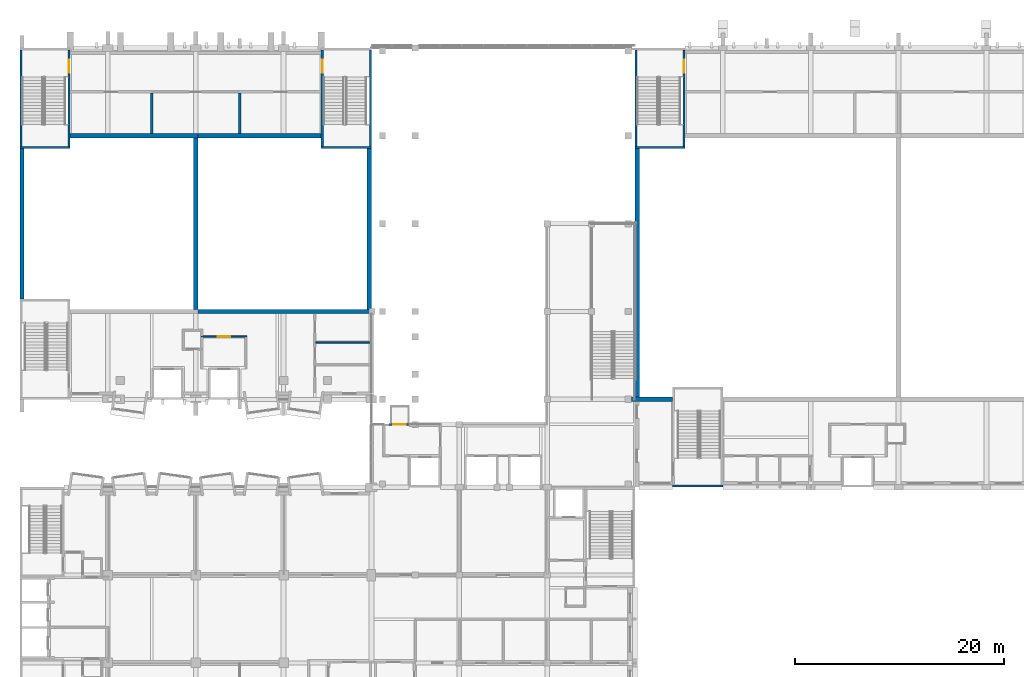
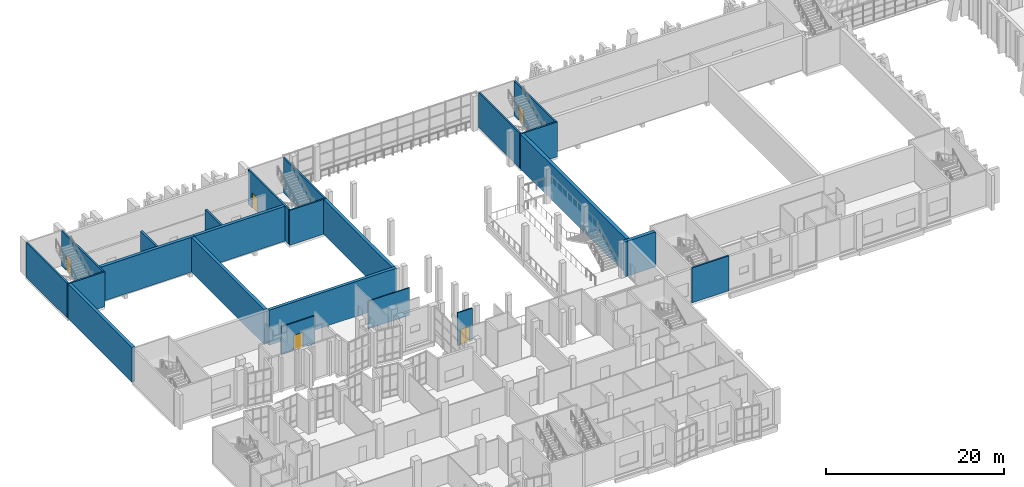
# One storey, part 34 of 91: 24 walls, 5 doors, 5 openings.
"""IFC4 building model written with IfcOpenShell, lengths in metres."""

from ifc_helpers import new_model, si_unit, direction, frame, frame_2d, origin, place, context, subcontext, project, spatial, rectangle, extrude, material, layer, layer_set, type_object, element, fill, save


model = new_model("IFC4")

# Units and contexts
model_context = context("Model", 3, precision=1e-05, world=origin(), true_north=direction((0.0, 1.0)))
body_context = subcontext(model_context, "Body", "Model", "MODEL_VIEW")
ifc_project = project(units=[si_unit("LENGTHUNIT", "METRE"), si_unit("AREAUNIT", "SQUARE_METRE"), si_unit("VOLUMEUNIT", "CUBIC_METRE"), si_unit("PLANEANGLEUNIT", "RADIAN"), si_unit("MASSUNIT", "GRAM", prefix="KILO")], contexts=[model_context])

# Site, building, storey
site_placement = place(None, origin())
site = spatial("IfcSite", under=ifc_project, at=site_placement, CompositionType="ELEMENT")
building_placement = place(site_placement, origin())
building = spatial("IfcBuilding", under=site, at=building_placement, Name="Kiln Court Media Centre", CompositionType="ELEMENT")
storey_placement = place(building_placement, frame((0.0, 0.0, 5.39990234375)))
storey = spatial("IfcBuildingStorey", under=building, at=storey_placement, Name="L01", CompositionType="ELEMENT", Elevation=5.39990234375)

# Wall, opening, door
ifc_material_1 = material(Name="Concrete block masonry M7.5", Category="masonry")
ifc_layer_1 = layer(ifc_material_1, 0.14990234375)
ifc_layer_set_1 = layer_set([ifc_layer_1], Name="Block lobby wall 150 EI 120")
wall_type_1 = type_object("IfcWallType", Name="Block lobby wall 150 EI 120", PredefinedType="SOLIDWALL", material=ifc_layer_set_1)
wall_1_placement = place(storey_placement, frame((35.324951171875, 31.199951171875, 0.0), z_axis=(0.0, 0.0, 1.0), x_axis=(1.0, 0.0, 0.0)))
wall_1 = element("IfcWall", 1, at=wall_1_placement, inside=storey, type_object=wall_type_1, Name="L01 block lobby wall", PredefinedType="SOLIDWALL", context=body_context, shape_type="SweptSolid", body=[
    extrude(rectangle(XDim=1.949951171875, YDim=0.14990234375, at=frame_2d((0.97509765625, 0.0))), origin(), (0.0, 0.0, 1.0), 4.5),
])
opening_1_placement = place(wall_1_placement, frame((0.375, 0.0, 0.0)))
opening_1 = element("IfcOpeningElement", 2, at=opening_1_placement, cuts=wall_1, Name="Opening D1077", PredefinedType="OPENING", context=body_context, shape_type="SweptSolid", body=[
    extrude(rectangle(XDim=1.199951171875, YDim=2.10009765625, at=frame_2d((0.60009765625, 1.050048828125))), frame((0.0, 0.0849609375, 0.0), z_axis=(0.0, -1.0, 0.0), x_axis=(1.0, 0.0, 0.0)), (0.0, 0.0, 1.0), 0.169921875),
])
ifc_material_2 = material(Name="Steel S275", Category="steel")
door_type_1 = type_object("IfcDoorType", Name="Steel lobby door 1200 x 2100 FD120", OperationType="SINGLE_SWING_LEFT", PredefinedType="DOOR", material=ifc_material_2)
door_1_placement = place(opening_1_placement, origin())
door_1 = element("IfcDoor", 3, at=door_1_placement, inside=storey, type_object=door_type_1, Name="Fire-fighting Lift Lobby / Wheelchair Refuge", OperationType="SINGLE_SWING_LEFT", OverallHeight=2.10009765625, OverallWidth=1.199951171875, PredefinedType="DOOR", context=body_context, shape_type="SweptSolid", body=[
    extrude(rectangle(XDim=1.199951171875, YDim=2.10009765625, at=frame_2d((0.60009765625, 1.050048828125))), frame((0.0, 0.02490234375, 0.0), z_axis=(0.0, -1.0, 0.0), x_axis=(1.0, 0.0, 0.0)), (0.0, 0.0, 1.0), 0.050048828125),
])
fill(opening_1, door_1)

wall_2_placement = place(storey_placement, frame((17.324951171875, 39.60009765625, 0.0), z_axis=(0.0, 0.0, 1.0), x_axis=(1.0, 0.0, 0.0)))
wall_2 = element("IfcWall", 4, at=wall_2_placement, inside=storey, type_object=wall_type_1, Name="L01 block lobby wall", PredefinedType="SOLIDWALL", context=body_context, shape_type="SweptSolid", body=[
    extrude(rectangle(XDim=4.35009765625, YDim=0.14990234375, at=frame_2d((2.175048828125, 0.0))), origin(), (0.0, 0.0, 1.0), 3.800048828125),
])
opening_2_placement = place(wall_2_placement, frame((1.574951171875, 0.0, 0.0)))
opening_2 = element("IfcOpeningElement", 5, at=opening_2_placement, cuts=wall_2, Name="Opening D1062", PredefinedType="OPENING", context=body_context, shape_type="SweptSolid", body=[
    extrude(rectangle(XDim=1.199951171875, YDim=2.10009765625, at=frame_2d((0.60009765625, 1.050048828125))), frame((0.0, 0.0849609375, 0.0), z_axis=(0.0, -1.0, 0.0), x_axis=(1.0, 0.0, 0.0)), (0.0, 0.0, 1.0), 0.169921875),
])
door_2_placement = place(opening_2_placement, origin())
door_2 = element("IfcDoor", 6, at=door_2_placement, inside=storey, type_object=door_type_1, Name="Mezzanine Lobby / Fire-fighting Lift Lobby", OperationType="SINGLE_SWING_RIGHT", OverallHeight=2.10009765625, OverallWidth=1.199951171875, PredefinedType="DOOR", context=body_context, shape_type="SweptSolid", body=[
    extrude(rectangle(XDim=1.199951171875, YDim=2.10009765625, at=frame_2d((0.60009765625, 1.050048828125))), frame((0.0, 0.02490234375, 0.0), z_axis=(0.0, -1.0, 0.0), x_axis=(1.0, 0.0, 0.0)), (0.0, 0.0, 1.0), 0.050048828125),
])
fill(opening_2, door_2)

# Walls
ifc_material_3 = material(Name="Concrete C40/50", Category="concrete")
ifc_layer_2 = layer(ifc_material_3, 0.35009765625)
ifc_layer_set_2 = layer_set([ifc_layer_2], Name="Concrete C40/50 auditorium wall 350")
wall_type_2 = type_object("IfcWallType", Name="Concrete C40/50 auditorium wall 350", PredefinedType="SHEAR", material=ifc_layer_set_2)
wall_3_placement = place(storey_placement, frame((58.625, 33.375, 0.0), z_axis=(0.0, 0.0, 1.0), x_axis=(0.0, 1.0, 0.0)))
element("IfcWall", 7, at=wall_3_placement, inside=storey, type_object=wall_type_2, Name="L01-W-1159", PredefinedType="SHEAR", context=body_context, shape_type="SweptSolid", body=[
    extrude(rectangle(XDim=0.449951171875, YDim=0.35009765625, at=frame_2d((0.22509765625, 0.0))), origin(), (0.0, 0.0, 1.0), 4.800048828125),
])
ifc_material_4 = material(Name="Concrete C40/50", Category="concrete")
ifc_layer_3 = layer(ifc_material_4, 0.39990234375)
ifc_layer_set_3 = layer_set([ifc_layer_3], Name="Concrete C40/50 auditorium wall 400")
wall_type_3 = type_object("IfcWallType", Name="Concrete C40/50 auditorium wall 400", PredefinedType="SHEAR", material=ifc_layer_set_3)
wall_4_placement = place(storey_placement, frame((4.800048828125, 58.800048828125, 0.0), z_axis=(0.0, 0.0, 1.0), x_axis=(1.0, 0.0, 0.0)))
element("IfcWall", 8, at=wall_4_placement, inside=storey, type_object=wall_type_3, Name="L01-W-1119", PredefinedType="SHEAR", context=body_context, shape_type="SweptSolid", body=[
    extrude(rectangle(XDim=12.199951171875, YDim=0.39990234375, at=frame_2d((6.10009765625, 0.0))), origin(), (0.0, 0.0, 1.0), 4.800048828125),
])
wall_5_placement = place(storey_placement, frame((0.200439453125, 43.199951171875, 0.0), z_axis=(0.0, 0.0, 1.0), x_axis=(0.0, 1.0, 0.0)))
element("IfcWall", 9, at=wall_5_placement, inside=storey, type_object=wall_type_3, Name="L01-W-1120", PredefinedType="SHEAR", context=body_context, shape_type="SweptSolid", body=[
    extrude(rectangle(XDim=14.400146484375, YDim=0.39990234375, at=frame_2d((7.2001953125, 0.0))), origin(), (0.0, 0.0, 1.0), 4.800048828125),
])
wall_6_placement = place(storey_placement, frame((16.800048828125, 58.60009765625, 0.0), z_axis=(0.0, 0.0, 1.0), x_axis=(0.0, -1.0, 0.0)))
element("IfcWall", 10, at=wall_6_placement, inside=storey, type_object=wall_type_3, Name="L01-W-1121", PredefinedType="SHEAR", context=body_context, shape_type="SweptSolid", body=[
    extrude(rectangle(XDim=16.400146484375, YDim=0.39990234375, at=frame_2d((8.2001953125, 0.0))), origin(), (0.0, 0.0, 1.0), 4.800048828125),
])
wall_7_placement = place(storey_placement, frame((33.60009765625, 42.0, 0.0), z_axis=(0.0, 0.0, 1.0), x_axis=(-1.0, 0.0, 0.0)))
element("IfcWall", 11, at=wall_7_placement, inside=storey, type_object=wall_type_3, Name="L01-W-1122", PredefinedType="SHEAR", context=body_context, shape_type="SweptSolid", body=[
    extrude(rectangle(XDim=16.60009765625, YDim=0.39990234375, at=frame_2d((8.300048828125, 0.0))), origin(), (0.0, 0.0, 1.0), 4.800048828125),
])
wall_8_placement = place(storey_placement, frame((17.0, 58.800048828125, 0.0), z_axis=(0.0, 0.0, 1.0), x_axis=(1.0, 0.0, 0.0)))
element("IfcWall", 12, at=wall_8_placement, inside=storey, type_object=wall_type_3, Name="L01-W-1123", PredefinedType="SHEAR", context=body_context, shape_type="SweptSolid", body=[
    extrude(rectangle(XDim=11.800048828125, YDim=0.39990234375, at=frame_2d((5.89990234375, 0.0))), origin(), (0.0, 0.0, 1.0), 4.800048828125),
])
wall_9_placement = place(storey_placement, frame((33.39990234375, 57.60009765625, 0.0), z_axis=(0.0, 0.0, 1.0), x_axis=(0.0, -1.0, 0.0)))
element("IfcWall", 13, at=wall_9_placement, inside=storey, type_object=wall_type_3, Name="L01-W-1124", PredefinedType="SHEAR", context=body_context, shape_type="SweptSolid", body=[
    extrude(rectangle(XDim=15.400146484375, YDim=0.39990234375, at=frame_2d((7.7001953125, 0.0))), origin(), (0.0, 0.0, 1.0), 4.800048828125),
])
ifc_material_5 = material(Name="Concrete C40/50", Category="concrete")
ifc_layer_4 = layer(ifc_material_5, 0.449951171875)
ifc_layer_set_4 = layer_set([ifc_layer_4], Name="Concrete C40/50 auditorium wall 450")
wall_type_4 = type_object("IfcWallType", Name="Concrete C40/50 auditorium wall 450", PredefinedType="SHEAR", material=ifc_layer_set_4)
wall_10_placement = place(storey_placement, frame((62.39990234375, 33.60009765625, 0.0), z_axis=(0.0, 0.0, 1.0), x_axis=(-1.0, 0.0, 0.0)))
element("IfcWall", 14, at=wall_10_placement, inside=storey, type_object=wall_type_4, Name="L01-W-1110", PredefinedType="SHEAR", context=body_context, shape_type="SweptSolid", body=[
    extrude(rectangle(XDim=3.599853515625, YDim=0.449951171875, at=frame_2d((1.7998046875, 0.0))), origin(), (0.0, 0.0, 1.0), 4.800048828125),
])
wall_11_placement = place(storey_placement, frame((59.02490234375, 33.824951171875, 0.0), z_axis=(0.0, 0.0, 1.0), x_axis=(0.0, 1.0, 0.0)))
element("IfcWall", 15, at=wall_11_placement, inside=storey, type_object=wall_type_4, Name="L01-W-1113", PredefinedType="SHEAR", context=body_context, shape_type="SweptSolid", body=[
    extrude(rectangle(XDim=23.775146484375, YDim=0.449951171875, at=frame_2d((11.8876953125, 0.0))), origin(), (0.0, 0.0, 1.0), 4.800048828125),
])
ifc_material_6 = material(Name="Concrete C40/50", Category="concrete")
ifc_layer_5 = layer(ifc_material_6, 0.199951171875)
ifc_layer_set_5 = layer_set([ifc_layer_5], Name="Concrete C40/50 shear wall 200")
wall_type_5 = type_object("IfcWallType", Name="Concrete C40/50 shear wall 200", PredefinedType="SHEAR", material=ifc_layer_set_5)
wall_12_placement = place(storey_placement, frame((4.800048828125, 57.699951171875, 0.0), z_axis=(0.0, 0.0, 1.0), x_axis=(-1.0, 0.0, 0.0)))
element("IfcWall", 16, at=wall_12_placement, inside=storey, type_object=wall_type_5, Name="L01-W-1024", PredefinedType="SHEAR", context=body_context, shape_type="SweptSolid", body=[
    extrude(rectangle(XDim=4.799560546875, YDim=0.199951171875, at=frame_2d((2.39990234375, 0.0))), origin(), (0.0, 0.0, 1.0), 4.800048828125),
])
wall_13_placement = place(storey_placement, frame((0.100341796875, 57.800048828125, 0.0), z_axis=(0.0, 0.0, 1.0), x_axis=(0.0, 1.0, 0.0)))
element("IfcWall", 17, at=wall_13_placement, inside=storey, type_object=wall_type_5, Name="L01-W-1026", PredefinedType="SHEAR", context=body_context, shape_type="SweptSolid", body=[
    extrude(rectangle(XDim=9.199951171875, YDim=0.199951171875, at=frame_2d((4.60009765625, 0.0))), origin(), (0.0, 0.0, 1.0), 4.800048828125),
])

# Wall, opening, door
wall_14_placement = place(storey_placement, frame((4.699951171875, 67.0, 0.0), z_axis=(0.0, 0.0, 1.0), x_axis=(0.0, -1.0, 0.0)))
wall_14 = element("IfcWall", 18, at=wall_14_placement, inside=storey, type_object=wall_type_5, Name="L01-W-1027", PredefinedType="SHEAR", context=body_context, shape_type="SweptSolid", body=[
    extrude(rectangle(XDim=9.199951171875, YDim=0.199951171875, at=frame_2d((4.60009765625, 0.0))), origin(), (0.0, 0.0, 1.0), 4.800048828125),
])
opening_3_placement = place(wall_14_placement, frame((0.949951171875, 0.0, 0.0)))
opening_3 = element("IfcOpeningElement", 19, at=opening_3_placement, cuts=wall_14, Name="Opening D1008", PredefinedType="OPENING", context=body_context, shape_type="SweptSolid", body=[
    extrude(rectangle(XDim=1.199951171875, YDim=2.10009765625, at=frame_2d((0.60009765625, 1.050048828125))), frame((0.0, 0.10986328125, 0.0), z_axis=(0.0, -1.0, 0.0), x_axis=(1.0, 0.0, 0.0)), (0.0, 0.0, 1.0), 0.219970703125),
])
ifc_material_7 = material(Name="Steel S275", Category="steel")
door_type_2 = type_object("IfcDoorType", Name="Steel stair door 1200 x 2100 FD180", OperationType="SINGLE_SWING_LEFT", PredefinedType="DOOR", material=ifc_material_7)
door_3_placement = place(opening_3_placement, origin())
door_3 = element("IfcDoor", 20, at=door_3_placement, inside=storey, type_object=door_type_2, Name="Stair 7 / Rear Exit Corridor", OperationType="SINGLE_SWING_RIGHT", OverallHeight=2.10009765625, OverallWidth=1.199951171875, PredefinedType="DOOR", context=body_context, shape_type="SweptSolid", body=[
    extrude(rectangle(XDim=1.199951171875, YDim=2.10009765625, at=frame_2d((0.60009765625, 1.050048828125))), frame((0.0, 0.02490234375, 0.0), z_axis=(0.0, -1.0, 0.0), x_axis=(1.0, 0.0, 0.0)), (0.0, 0.0, 1.0), 0.050048828125),
])
fill(opening_3, door_3)

# Wall
wall_15_placement = place(storey_placement, frame((33.60009765625, 57.699951171875, 0.0), z_axis=(0.0, 0.0, 1.0), x_axis=(-1.0, 0.0, 0.0)))
element("IfcWall", 21, at=wall_15_placement, inside=storey, type_object=wall_type_5, Name="L01-W-1028", PredefinedType="SHEAR", context=body_context, shape_type="SweptSolid", body=[
    extrude(rectangle(XDim=4.800048828125, YDim=0.199951171875, at=frame_2d((2.39990234375, 0.0))), origin(), (0.0, 0.0, 1.0), 4.800048828125),
])

# Wall, opening, door
wall_16_placement = place(storey_placement, frame((28.89990234375, 57.800048828125, 0.0), z_axis=(0.0, 0.0, 1.0), x_axis=(0.0, 1.0, 0.0)))
wall_16 = element("IfcWall", 22, at=wall_16_placement, inside=storey, type_object=wall_type_5, Name="L01-W-1030", PredefinedType="SHEAR", context=body_context, shape_type="SweptSolid", body=[
    extrude(rectangle(XDim=9.199951171875, YDim=0.199951171875, at=frame_2d((4.60009765625, 0.0))), origin(), (0.0, 0.0, 1.0), 4.800048828125),
])
opening_4_placement = place(wall_16_placement, frame((7.050048828125, 0.0, 0.0)))
opening_4 = element("IfcOpeningElement", 23, at=opening_4_placement, cuts=wall_16, Name="Opening D1079", PredefinedType="OPENING", context=body_context, shape_type="SweptSolid", body=[
    extrude(rectangle(XDim=1.199951171875, YDim=2.10009765625, at=frame_2d((0.60009765625, 1.050048828125))), frame((0.0, 0.10986328125, 0.0), z_axis=(0.0, -1.0, 0.0), x_axis=(1.0, 0.0, 0.0)), (0.0, 0.0, 1.0), 0.219970703125),
])
door_4_placement = place(opening_4_placement, origin())
door_4 = element("IfcDoor", 24, at=door_4_placement, inside=storey, type_object=door_type_2, Name="Stair 8 / Rear Exit Corridor", OperationType="SINGLE_SWING_RIGHT", OverallHeight=2.10009765625, OverallWidth=1.199951171875, PredefinedType="DOOR", context=body_context, shape_type="SweptSolid", body=[
    extrude(rectangle(XDim=1.199951171875, YDim=2.10009765625, at=frame_2d((0.60009765625, 1.050048828125))), frame((0.0, 0.02490234375, 0.0), z_axis=(0.0, -1.0, 0.0), x_axis=(1.0, 0.0, 0.0)), (0.0, 0.0, 1.0), 0.050048828125),
])
fill(opening_4, door_4)

# Walls
wall_17_placement = place(storey_placement, frame((33.5, 67.0, 0.0), z_axis=(0.0, 0.0, 1.0), x_axis=(0.0, -1.0, 0.0)))
element("IfcWall", 25, at=wall_17_placement, inside=storey, type_object=wall_type_5, Name="L01-W-1031", PredefinedType="SHEAR", context=body_context, shape_type="SweptSolid", body=[
    extrude(rectangle(XDim=9.199951171875, YDim=0.199951171875, at=frame_2d((4.60009765625, 0.0))), origin(), (0.0, 0.0, 1.0), 4.800048828125),
])
for number, where, z_axis, x_axis, name in (
    (26, (67.199951171875, 25.300048828125, 0.0), (0.0, 0.0, 1.0), (-1.0, 0.0, 0.0), "L01-W-1032"),
    (27, (63.60009765625, 57.699951171875, 0.0), (0.0, 0.0, 1.0), (-1.0, 0.0, 0.0), "L01-W-1040"),
):
    element("IfcWall", number, at=place(storey_placement, frame(where, z_axis=z_axis, x_axis=x_axis)), inside=storey, type_object=wall_type_5, Name=name, PredefinedType="SHEAR", context=body_context, shape_type="SweptSolid", body=[
        extrude(rectangle(XDim=4.800048828125, YDim=0.199951171875, at=frame_2d((2.39990234375, 0.0))), origin(), (0.0, 0.0, 1.0), 4.800048828125),
    ])
wall_18_placement = place(storey_placement, frame((58.89990234375, 57.800048828125, 0.0), z_axis=(0.0, 0.0, 1.0), x_axis=(0.0, 1.0, 0.0)))
element("IfcWall", 28, at=wall_18_placement, inside=storey, type_object=wall_type_5, Name="L01-W-1042", PredefinedType="SHEAR", context=body_context, shape_type="SweptSolid", body=[
    extrude(rectangle(XDim=9.199951171875, YDim=0.199951171875, at=frame_2d((4.60009765625, 0.0))), origin(), (0.0, 0.0, 1.0), 4.800048828125),
])

# Wall, opening, door
wall_19_placement = place(storey_placement, frame((63.5, 67.0, 0.0), z_axis=(0.0, 0.0, 1.0), x_axis=(0.0, -1.0, 0.0)))
wall_19 = element("IfcWall", 29, at=wall_19_placement, inside=storey, type_object=wall_type_5, Name="L01-W-1043", PredefinedType="SHEAR", context=body_context, shape_type="SweptSolid", body=[
    extrude(rectangle(XDim=9.199951171875, YDim=0.199951171875, at=frame_2d((4.60009765625, 0.0))), origin(), (0.0, 0.0, 1.0), 4.800048828125),
])
opening_5_placement = place(wall_19_placement, frame((0.949951171875, 0.0, 0.0)))
opening_5 = element("IfcOpeningElement", 30, at=opening_5_placement, cuts=wall_19, Name="Opening D1003", PredefinedType="OPENING", context=body_context, shape_type="SweptSolid", body=[
    extrude(rectangle(XDim=1.199951171875, YDim=2.10009765625, at=frame_2d((0.60009765625, 1.050048828125))), frame((0.0, 0.10986328125, 0.0), z_axis=(0.0, -1.0, 0.0), x_axis=(1.0, 0.0, 0.0)), (0.0, 0.0, 1.0), 0.219970703125),
])
door_5_placement = place(opening_5_placement, origin())
door_5 = element("IfcDoor", 31, at=door_5_placement, inside=storey, type_object=door_type_2, Name="Stair 11 / Rear Exit Corridor", OperationType="SINGLE_SWING_RIGHT", OverallHeight=2.10009765625, OverallWidth=1.199951171875, PredefinedType="DOOR", context=body_context, shape_type="SweptSolid", body=[
    extrude(rectangle(XDim=1.199951171875, YDim=2.10009765625, at=frame_2d((0.60009765625, 1.050048828125))), frame((0.0, 0.02490234375, 0.0), z_axis=(0.0, -1.0, 0.0), x_axis=(1.0, 0.0, 0.0)), (0.0, 0.0, 1.0), 0.050048828125),
])
fill(opening_5, door_5)

# Walls
ifc_material_8 = material(Name="Gypsum plasterboard", Category="gypsum")
ifc_layer_6 = layer(ifc_material_8, 0.25)
ifc_layer_set_6 = layer_set([ifc_layer_6], Name="Double-leaf acoustic wall 250 EI 120")
wall_type_6 = type_object("IfcWallType", Name="Double-leaf acoustic wall 250 EI 120", PredefinedType="PARTITIONING", material=ifc_layer_set_6)
for number, where, z_axis, x_axis, name in (
    (32, (12.60009765625, 59.0, 0.0), (0.0, 0.0, 1.0), (0.0, 1.0, 0.0), "L01 double-leaf acoustic wall"),
    (33, (21.0, 59.0, 0.0), (0.0, 0.0, 1.0), (0.0, 1.0, 0.0), "L01 double-leaf acoustic wall"),
):
    element("IfcWall", number, at=place(storey_placement, frame(where, z_axis=z_axis, x_axis=x_axis)), inside=storey, type_object=wall_type_6, Name=name, PredefinedType="PARTITIONING", context=body_context, shape_type="SweptSolid", body=[
        extrude(rectangle(XDim=3.875, YDim=0.25, at=frame_2d((1.9375, 0.0))), origin(), (0.0, 0.0, 1.0), 4.5),
    ])
ifc_material_9 = material(Name="Gypsum plasterboard", Category="gypsum")
ifc_layer_7 = layer(ifc_material_9, 0.125)
ifc_layer_set_7 = layer_set([ifc_layer_7], Name="Gypsum wet-area partition 125")
wall_type_7 = type_object("IfcWallType", Name="Gypsum wet-area partition 125", PredefinedType="PARTITIONING", material=ifc_layer_set_7)
wall_20_placement = place(storey_placement, frame((28.27490234375, 39.050048828125, 0.0), z_axis=(0.0, 0.0, 1.0), x_axis=(1.0, 0.0, 0.0)))
element("IfcWall", 34, at=wall_20_placement, inside=storey, type_object=wall_type_7, Name="L01 gypsum wet-area partition", PredefinedType="PARTITIONING", context=body_context, shape_type="SweptSolid", body=[
    extrude(rectangle(XDim=5.3876953125, YDim=0.125, at=frame_2d((2.69384765625, 0.0))), origin(), (0.0, 0.0, 1.0), 3.800048828125),
])

save(model, "model.ifc")
